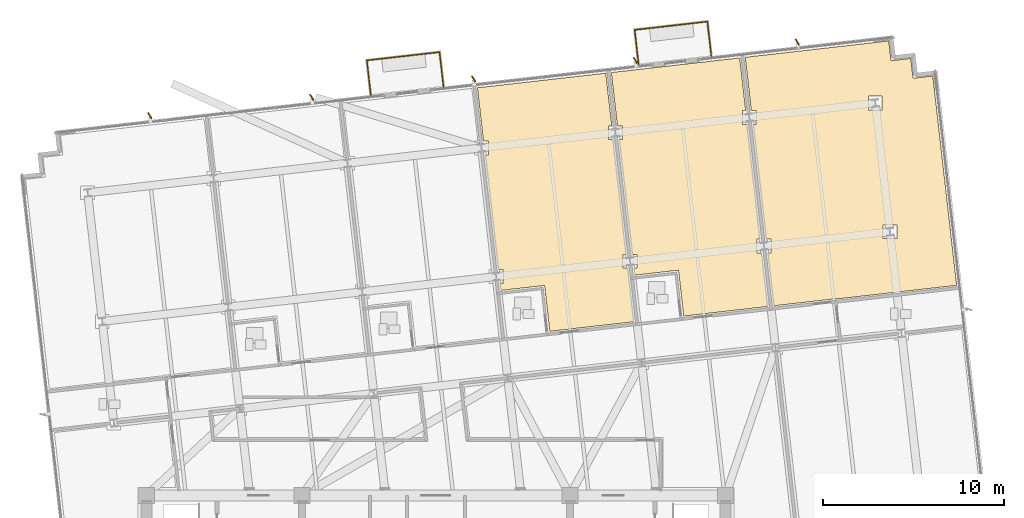
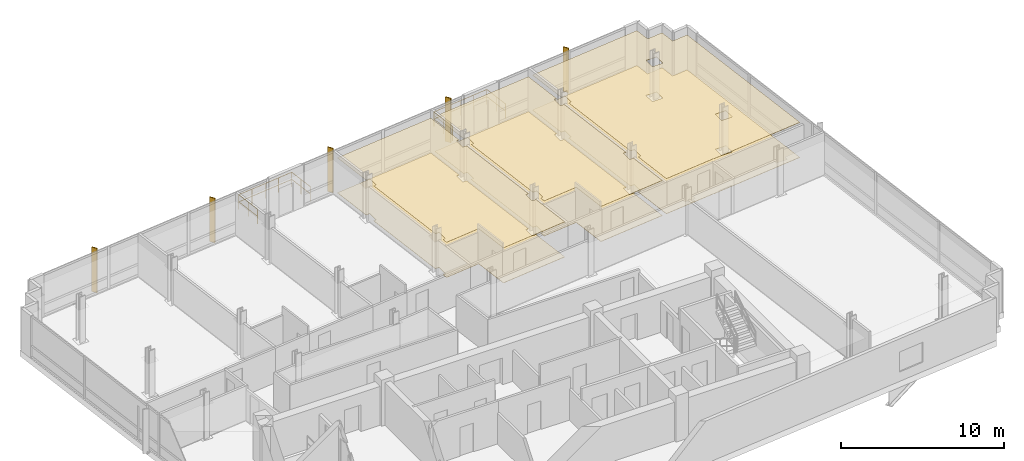
# One storey, part 14 of 15: 6 coverings, 6 railings, 5 shading devices.
"""IFC4 building model written with IfcOpenShell, lengths in metres."""

from ifc_helpers import new_model, si_unit, direction, frame, origin, origin_2d, place, context, subcontext, project, spatial, polyline, rectangle, circle, outline, extrude, material, layer, layer_set, type_object, element, save


model = new_model("IFC4")

# Units and contexts
model_context = context("Model", 3, precision=1e-05, world=origin(), true_north=direction((0.0, 1.0)))
body_context = subcontext(model_context, "Body", "Model", "MODEL_VIEW")
ifc_project = project(units=[si_unit("LENGTHUNIT", "METRE"), si_unit("AREAUNIT", "SQUARE_METRE"), si_unit("VOLUMEUNIT", "CUBIC_METRE"), si_unit("PLANEANGLEUNIT", "RADIAN"), si_unit("MASSUNIT", "GRAM", prefix="KILO")], contexts=[model_context])

# Site, building, storey
site_placement = place(None, origin())
site = spatial("IfcSite", under=ifc_project, at=site_placement, CompositionType="ELEMENT")
building_placement = place(site_placement, origin())
building = spatial("IfcBuilding", under=site, at=building_placement, Name="Solmavex Isthmus Hotel", CompositionType="ELEMENT")
storey_placement = place(building_placement, frame((0.0, 0.0, 191.699951171875)))
storey = spatial("IfcBuildingStorey", under=building, at=storey_placement, Name="L51", CompositionType="ELEMENT", Elevation=191.699951171875)

# Coverings
ifc_material_1 = material(Name="Gypsum plasterboard lining", Category="gypsum")
ifc_layer_1 = layer(ifc_material_1, 0.030029296875)
ifc_layer_set_1 = layer_set([ifc_layer_1], Name="Gypsum plasterboard lining")
covering_type_1 = type_object("IfcCoveringType", Name="COV-CEIL-GYP", PredefinedType="CEILING", material=ifc_layer_set_1)
covering_1_placement = place(storey_placement, frame((0.0, 0.0, 2.6201171875)))
element("IfcCovering", 1, at=covering_1_placement, inside=storey, type_object=covering_type_1, Name="Suspended Acoustic Ceiling L51-RM04", PredefinedType="CEILING", context=body_context, shape_type="SweptSolid", body=[
    extrude(outline(polyline([(3.435546875, 9.978271484375), (3.702880859375, 9.978271484375), (3.702880859375, 9.21826171875), (3.522216796875, 9.21826171875), (3.566650390625, 8.827880859375), (6.0009765625, 9.105224609375), (6.28955078125, 6.571533203125), (10.945556640625, 7.10205078125), (10.6083984375, 10.06103515625), (10.341064453125, 10.06103515625), (10.341064453125, 10.821044921875), (10.521728515625, 10.821044921875), (9.798583984375, 17.167236328125), (9.531494140625, 17.167236328125), (9.531494140625, 17.92724609375), (9.712158203125, 17.92724609375), (9.381103515625, 20.833251953125), (2.290771484375, 20.025390625), (2.6259765625, 17.084228515625), (2.893310546875, 17.084228515625), (2.893310546875, 16.32421875), (2.712646484375, 16.32421875), (3.435546875, 9.978271484375)])), origin(), (0.0, 0.0, 1.0), 0.030029296875),
])
covering_2_placement = place(storey_placement, frame((0.0, 0.0, 2.6201171875)))
element("IfcCovering", 2, at=covering_2_placement, inside=storey, type_object=covering_type_1, Name="Suspended Acoustic Ceiling L51-RM05", PredefinedType="CEILING", context=body_context, shape_type="SweptSolid", body=[
    extrude(outline(polyline([(10.833740234375, 10.821044921875), (11.10107421875, 10.821044921875), (11.10107421875, 10.06103515625), (10.92041015625, 10.06103515625), (10.96484375, 9.670654296875), (13.399169921875, 9.947998046875), (13.687744140625, 7.41455078125), (18.343505859375, 7.945068359375), (18.006591796875, 10.904052734375), (17.7392578125, 10.904052734375), (17.7392578125, 11.6640625), (17.919921875, 11.6640625), (17.19677734375, 18.010009765625), (16.929443359375, 18.010009765625), (16.929443359375, 18.77001953125), (17.1103515625, 18.77001953125), (16.779052734375, 21.676025390625), (9.68896484375, 20.868408203125), (10.024169921875, 17.92724609375), (10.29150390625, 17.92724609375), (10.29150390625, 17.167236328125), (10.110595703125, 17.167236328125), (10.833740234375, 10.821044921875)])), origin(), (0.0, 0.0, 1.0), 0.030029296875),
])
covering_3_placement = place(storey_placement, frame((0.0, 0.0, 2.6201171875)))
element("IfcCovering", 3, at=covering_3_placement, inside=storey, type_object=covering_type_1, Name="Suspended Acoustic Ceiling L51-RM06", PredefinedType="CEILING", context=body_context, shape_type="SweptSolid", body=[
    extrude(outline(polyline([(18.23193359375, 11.6640625), (18.499267578125, 11.6640625), (18.499267578125, 10.904052734375), (18.318359375, 10.904052734375), (18.651611328125, 7.97998046875), (22.228515625, 8.3876953125), (22.230712890625, 8.36767578125), (28.766357421875, 9.1123046875), (27.542236328125, 19.85791015625), (27.44873046875, 20.677490234375), (26.35595703125, 20.552978515625), (26.231201171875, 21.64599609375), (25.138427734375, 21.521484375), (25.013916015625, 22.6142578125), (24.194091796875, 22.52099609375), (17.087158203125, 21.711181640625), (17.42236328125, 18.77001953125), (17.689453125, 18.77001953125), (17.689453125, 18.010009765625), (17.5087890625, 18.010009765625), (18.17626953125, 12.15185546875), (18.23193359375, 11.6640625)]), holes=[polyline([(24.7021484375, 11.697265625), (24.7021484375, 12.457275390625), (25.462158203125, 12.457275390625), (25.462158203125, 11.697265625), (24.7021484375, 11.697265625)]), polyline([(23.892578125, 19.5634765625), (24.652587890625, 19.5634765625), (24.652587890625, 18.803466796875), (23.892578125, 18.803466796875), (23.892578125, 19.5634765625)])]), origin(), (0.0, 0.0, 1.0), 0.030029296875),
])
ifc_material_2 = material(Name="Travertine natural stone", Category="masonry")
ifc_layer_2 = layer(ifc_material_2, 0.02490234375)
ifc_layer_set_2 = layer_set([ifc_layer_2], Name="Travertine natural stone")
covering_type_2 = type_object("IfcCoveringType", Name="COV-FLOR-STN", PredefinedType="FLOORING", material=ifc_layer_set_2)
covering_4_placement = place(storey_placement, origin())
element("IfcCovering", 4, at=covering_4_placement, inside=storey, type_object=covering_type_2, Name="Stone and Timber Floor Finish L51-RM04", PredefinedType="FLOORING", context=body_context, shape_type="SweptSolid", body=[
    extrude(outline(polyline([(3.435546875, 9.978271484375), (3.702880859375, 9.978271484375), (3.702880859375, 9.21826171875), (3.522216796875, 9.21826171875), (3.566650390625, 8.827880859375), (6.0009765625, 9.105224609375), (6.28955078125, 6.571533203125), (10.945556640625, 7.10205078125), (10.6083984375, 10.06103515625), (10.341064453125, 10.06103515625), (10.341064453125, 10.821044921875), (10.521728515625, 10.821044921875), (9.798583984375, 17.167236328125), (9.531494140625, 17.167236328125), (9.531494140625, 17.92724609375), (9.712158203125, 17.92724609375), (9.381103515625, 20.833251953125), (2.290771484375, 20.025390625), (2.6259765625, 17.084228515625), (2.893310546875, 17.084228515625), (2.893310546875, 16.32421875), (2.712646484375, 16.32421875), (3.435546875, 9.978271484375)])), origin(), (0.0, 0.0, 1.0), 0.025146484375),
])
covering_5_placement = place(storey_placement, origin())
element("IfcCovering", 5, at=covering_5_placement, inside=storey, type_object=covering_type_2, Name="Stone and Timber Floor Finish L51-RM05", PredefinedType="FLOORING", context=body_context, shape_type="SweptSolid", body=[
    extrude(outline(polyline([(10.833740234375, 10.821044921875), (11.10107421875, 10.821044921875), (11.10107421875, 10.06103515625), (10.92041015625, 10.06103515625), (10.96484375, 9.670654296875), (13.399169921875, 9.947998046875), (13.687744140625, 7.41455078125), (18.343505859375, 7.945068359375), (18.006591796875, 10.904052734375), (17.7392578125, 10.904052734375), (17.7392578125, 11.6640625), (17.919921875, 11.6640625), (17.19677734375, 18.010009765625), (16.929443359375, 18.010009765625), (16.929443359375, 18.77001953125), (17.1103515625, 18.77001953125), (16.779052734375, 21.676025390625), (9.68896484375, 20.868408203125), (10.024169921875, 17.92724609375), (10.29150390625, 17.92724609375), (10.29150390625, 17.167236328125), (10.110595703125, 17.167236328125), (10.833740234375, 10.821044921875)])), origin(), (0.0, 0.0, 1.0), 0.025146484375),
])
covering_6_placement = place(storey_placement, origin())
element("IfcCovering", 6, at=covering_6_placement, inside=storey, type_object=covering_type_2, Name="Stone and Timber Floor Finish L51-RM06", PredefinedType="FLOORING", context=body_context, shape_type="SweptSolid", body=[
    extrude(outline(polyline([(18.23193359375, 11.6640625), (18.499267578125, 11.6640625), (18.499267578125, 10.904052734375), (18.318359375, 10.904052734375), (18.651611328125, 7.97998046875), (22.228515625, 8.3876953125), (22.230712890625, 8.36767578125), (28.766357421875, 9.1123046875), (27.542236328125, 19.85791015625), (27.44873046875, 20.677490234375), (26.35595703125, 20.552978515625), (26.231201171875, 21.64599609375), (25.138427734375, 21.521484375), (25.013916015625, 22.6142578125), (24.194091796875, 22.52099609375), (17.087158203125, 21.711181640625), (17.42236328125, 18.77001953125), (17.689453125, 18.77001953125), (17.689453125, 18.010009765625), (17.5087890625, 18.010009765625), (18.17626953125, 12.15185546875), (18.23193359375, 11.6640625)]), holes=[polyline([(24.7021484375, 11.697265625), (24.7021484375, 12.457275390625), (25.462158203125, 12.457275390625), (25.462158203125, 11.697265625), (24.7021484375, 11.697265625)]), polyline([(23.892578125, 19.5634765625), (24.652587890625, 19.5634765625), (24.652587890625, 18.803466796875), (23.892578125, 18.803466796875), (23.892578125, 19.5634765625)])]), origin(), (0.0, 0.0, 1.0), 0.025146484375),
])

# Railings
ifc_material_3 = material(Name="Clear low-E laminated glass", Category="glass")
ifc_layer_3 = layer(ifc_material_3, 0.070068359375)
ifc_layer_set_3 = layer_set([ifc_layer_3], Name="Clear low-E laminated glass")
railing_type = type_object("IfcRailingType", Name="RAIL-GUARD-1100", PredefinedType="BALUSTRADE", material=ifc_layer_set_3)
railing_1_placement = place(storey_placement, frame((-3.600341796875, 19.630859375, 0.0)))
element("IfcRailing", 7, at=railing_1_placement, inside=storey, type_object=railing_type, Name="Guardrail Balustrade L51-BAL1-01", PredefinedType="BALUSTRADE", context=body_context, shape_type="SweptSolid", body=[
    extrude(circle(Radius=0.02392578125, at=origin_2d()), frame((0.0, 0.0, 1.09619140625), z_axis=(-0.113166454875, 0.993576043135, 0.0), x_axis=(-0.993576043135, -0.113166454875, 0.0)), (0.0, 0.0, 1.0), 1.920166015625),
    extrude(circle(Radius=0.02392578125, at=origin_2d()), frame((0.0, 0.0, 0.56005859375), z_axis=(-0.113166454875, 0.993576043135, 0.0), x_axis=(-0.993576043135, -0.113166454875, 0.0)), (0.0, 0.0, 1.0), 1.920166015625),
    extrude(circle(Radius=0.02099609375, at=origin_2d()), origin(), (0.0, 0.0, 1.0), 1.072021484375),
    extrude(circle(Radius=0.02099609375, at=origin_2d()), frame((-0.108642578125, 0.953857421875, 0.0)), (0.0, 0.0, 1.0), 1.072021484375),
    extrude(circle(Radius=0.02099609375, at=origin_2d()), frame((-0.21728515625, 1.90771484375, 0.0)), (0.0, 0.0, 1.0), 1.072021484375),
])
railing_2_placement = place(storey_placement, frame((-3.817626953125, 21.53857421875, 0.0)))
element("IfcRailing", 8, at=railing_2_placement, inside=storey, type_object=railing_type, Name="Guardrail Balustrade L51-BAL1-02", PredefinedType="BALUSTRADE", context=body_context, shape_type="SweptSolid", body=[
    extrude(circle(Radius=0.02392578125, at=origin_2d()), frame((0.0, 0.0, 1.09619140625), z_axis=(0.993573319275, 0.113190367192, 0.0), x_axis=(-0.113190367192, 0.993573319275, 0.0)), (0.0, 0.0, 1.0), 4.039794921875),
    extrude(circle(Radius=0.02392578125, at=origin_2d()), frame((0.0, 0.0, 0.56005859375), z_axis=(0.993573319275, 0.113190367192, 0.0), x_axis=(-0.113190367192, 0.993573319275, 0.0)), (0.0, 0.0, 1.0), 4.039794921875),
    extrude(circle(Radius=0.02099609375, at=origin_2d()), origin(), (0.0, 0.0, 1.0), 1.072021484375),
    extrude(circle(Radius=0.02099609375, at=origin_2d()), frame((1.00341796875, 0.1142578125, 0.0)), (0.0, 0.0, 1.0), 1.072021484375),
    extrude(circle(Radius=0.02099609375, at=origin_2d()), frame((2.0068359375, 0.228515625, 0.0)), (0.0, 0.0, 1.0), 1.072021484375),
    extrude(circle(Radius=0.02099609375, at=origin_2d()), frame((3.010498046875, 0.343017578125, 0.0)), (0.0, 0.0, 1.0), 1.072021484375),
    extrude(circle(Radius=0.02099609375, at=origin_2d()), frame((4.013916015625, 0.457275390625, 0.0)), (0.0, 0.0, 1.0), 1.072021484375),
])
railing_3_placement = place(storey_placement, frame((0.1962890625, 21.995849609375, 0.0)))
element("IfcRailing", 9, at=railing_3_placement, inside=storey, type_object=railing_type, Name="Guardrail Balustrade L51-BAL1-03", PredefinedType="BALUSTRADE", context=body_context, shape_type="SweptSolid", body=[
    extrude(circle(Radius=0.02392578125, at=origin_2d()), frame((0.0, 0.0, 1.09619140625), z_axis=(0.113180753722, -0.993574414418, 0.0), x_axis=(0.993574414418, 0.113180753722, 0.0)), (0.0, 0.0, 1.0), 1.919921875),
    extrude(circle(Radius=0.02392578125, at=origin_2d()), frame((0.0, 0.0, 0.56005859375), z_axis=(0.113180753722, -0.993574414418, 0.0), x_axis=(0.993574414418, 0.113180753722, 0.0)), (0.0, 0.0, 1.0), 1.919921875),
    extrude(circle(Radius=0.02099609375, at=origin_2d()), origin(), (0.0, 0.0, 1.0), 1.072021484375),
    extrude(circle(Radius=0.02099609375, at=origin_2d()), frame((0.108642578125, -0.95361328125, 0.0)), (0.0, 0.0, 1.0), 1.072021484375),
    extrude(circle(Radius=0.02099609375, at=origin_2d()), frame((0.21728515625, -1.907470703125, 0.0)), (0.0, 0.0, 1.0), 1.072021484375),
])
railing_4_placement = place(storey_placement, frame((11.196044921875, 21.31689453125, 0.0)))
element("IfcRailing", 10, at=railing_4_placement, inside=storey, type_object=railing_type, Name="Guardrail Balustrade L51-BAL2-01", PredefinedType="BALUSTRADE", context=body_context, shape_type="SweptSolid", body=[
    extrude(circle(Radius=0.02392578125, at=origin_2d()), frame((0.0, 0.0, 1.09619140625), z_axis=(-0.113306291372, 0.993560106051, 0.0), x_axis=(-0.993560106051, -0.113306291372, 0.0)), (0.0, 0.0, 1.0), 1.919921875),
    extrude(circle(Radius=0.02392578125, at=origin_2d()), frame((0.0, 0.0, 0.56005859375), z_axis=(-0.113306291372, 0.993560106051, 0.0), x_axis=(-0.993560106051, -0.113306291372, 0.0)), (0.0, 0.0, 1.0), 1.919921875),
    extrude(circle(Radius=0.02099609375, at=origin_2d()), origin(), (0.0, 0.0, 1.0), 1.072021484375),
    extrude(circle(Radius=0.02099609375, at=origin_2d()), frame((-0.10888671875, 0.95361328125, 0.0)), (0.0, 0.0, 1.0), 1.072021484375),
    extrude(circle(Radius=0.02099609375, at=origin_2d()), frame((-0.217529296875, 1.907470703125, 0.0)), (0.0, 0.0, 1.0), 1.072021484375),
])
railing_5_placement = place(storey_placement, frame((10.978515625, 23.224365234375, 0.0)))
element("IfcRailing", 11, at=railing_5_placement, inside=storey, type_object=railing_type, Name="Guardrail Balustrade L51-BAL2-02", PredefinedType="BALUSTRADE", context=body_context, shape_type="SweptSolid", body=[
    extrude(circle(Radius=0.02392578125, at=origin_2d()), frame((0.0, 0.0, 1.09619140625), z_axis=(0.993567296105, 0.113243225453, 0.0), x_axis=(-0.113243225453, 0.993567296105, 0.0)), (0.0, 0.0, 1.0), 4.0400390625),
    extrude(circle(Radius=0.02392578125, at=origin_2d()), frame((0.0, 0.0, 0.56005859375), z_axis=(0.993567296105, 0.113243225453, 0.0), x_axis=(-0.113243225453, 0.993567296105, 0.0)), (0.0, 0.0, 1.0), 4.0400390625),
    extrude(circle(Radius=0.02099609375, at=origin_2d()), origin(), (0.0, 0.0, 1.0), 1.072021484375),
    extrude(circle(Radius=0.02099609375, at=origin_2d()), frame((1.00341796875, 0.1142578125, 0.0)), (0.0, 0.0, 1.0), 1.072021484375),
    extrude(circle(Radius=0.02099609375, at=origin_2d()), frame((2.007080078125, 0.228759765625, 0.0)), (0.0, 0.0, 1.0), 1.072021484375),
    extrude(circle(Radius=0.02099609375, at=origin_2d()), frame((3.0107421875, 0.34326171875, 0.0)), (0.0, 0.0, 1.0), 1.072021484375),
    extrude(circle(Radius=0.02099609375, at=origin_2d()), frame((4.01416015625, 0.45751953125, 0.0)), (0.0, 0.0, 1.0), 1.072021484375),
])
railing_6_placement = place(storey_placement, frame((14.99267578125, 23.681884765625, 0.0)))
element("IfcRailing", 12, at=railing_6_placement, inside=storey, type_object=railing_type, Name="Guardrail Balustrade L51-BAL2-03", PredefinedType="BALUSTRADE", context=body_context, shape_type="SweptSolid", body=[
    extrude(circle(Radius=0.02392578125, at=origin_2d()), frame((0.0, 0.0, 1.09619140625), z_axis=(0.113166454875, -0.993576043135, 0.0), x_axis=(0.993576043135, 0.113166454875, 0.0)), (0.0, 0.0, 1.0), 1.920166015625),
    extrude(circle(Radius=0.02392578125, at=origin_2d()), frame((0.0, 0.0, 0.56005859375), z_axis=(0.113166454875, -0.993576043135, 0.0), x_axis=(0.993576043135, 0.113166454875, 0.0)), (0.0, 0.0, 1.0), 1.920166015625),
    extrude(circle(Radius=0.02099609375, at=origin_2d()), origin(), (0.0, 0.0, 1.0), 1.072021484375),
    extrude(circle(Radius=0.02099609375, at=origin_2d()), frame((0.108642578125, -0.953857421875, 0.0)), (0.0, 0.0, 1.0), 1.072021484375),
    extrude(circle(Radius=0.02099609375, at=origin_2d()), frame((0.21728515625, -1.90771484375, 0.0)), (0.0, 0.0, 1.0), 1.072021484375),
])

# Shading devices
ifc_material_4 = material(Name="Aluminium alloy 6063-T6", Category="aluminium")
shading_device_type = type_object("IfcShadingDeviceType", Name="SHD-FIN-CHAMP", PredefinedType="USERDEFINED", material=ifc_material_4)
for number, where, z_axis, x_axis, name in (
    (13, (-15.8056640625, 18.48193359375, -0.139892578125), (0.0, 0.0, 1.0), (-0.537299608347, 0.843391445813, 0.0), "Anodised Aluminium Solar Fin L51-N1"),
    (14, (-6.863525390625, 19.500732421875, -0.139892578125), (0.0, 0.0, 1.0), (-0.537299608347, 0.843391445813, 0.0), "Anodised Aluminium Solar Fin L51-N2"),
    (15, (2.07861328125, 20.51953125, -0.139892578125), (0.0, 0.0, 1.0), (-0.537299608347, 0.843391445813, 0.0), "Anodised Aluminium Solar Fin L51-N3"),
    (16, (11.020751953125, 21.538330078125, -0.139892578125), (0.0, 0.0, 1.0), (-0.537299608347, 0.843391445813, 0.0), "Anodised Aluminium Solar Fin L51-N4"),
    (17, (19.962890625, 22.55712890625, -0.139892578125), (0.0, 0.0, 1.0), (-0.537299608347, 0.843391445813, 0.0), "Anodised Aluminium Solar Fin L51-N5"),
):
    element("IfcShadingDevice", number, at=place(storey_placement, frame(where, z_axis=z_axis, x_axis=x_axis)), inside=storey, type_object=shading_device_type, Name=name, ObjectType="SOLAR_FIN", PredefinedType="USERDEFINED", context=body_context, shape_type="SweptSolid", body=[
        extrude(rectangle(XDim=0.3798828125, YDim=0.070068359375, at=origin_2d()), origin(), (0.0, 0.0, 1.0), 3.330078125),
    ])

save(model, "model.ifc")
